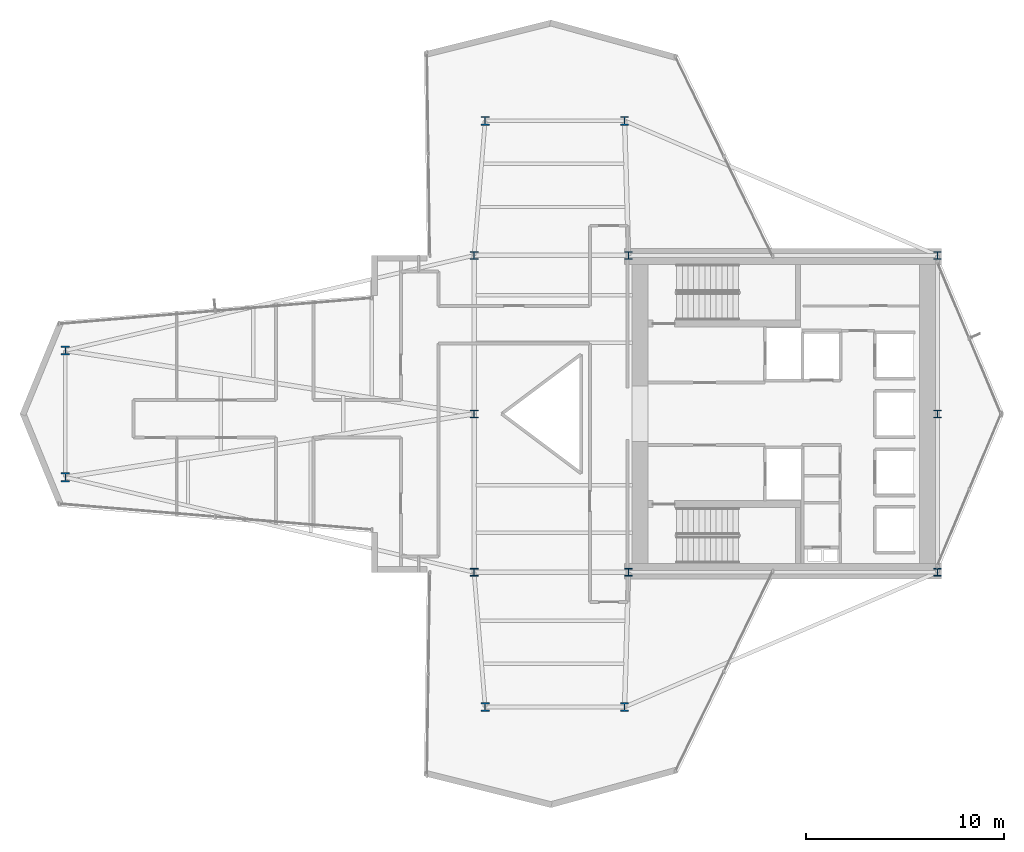
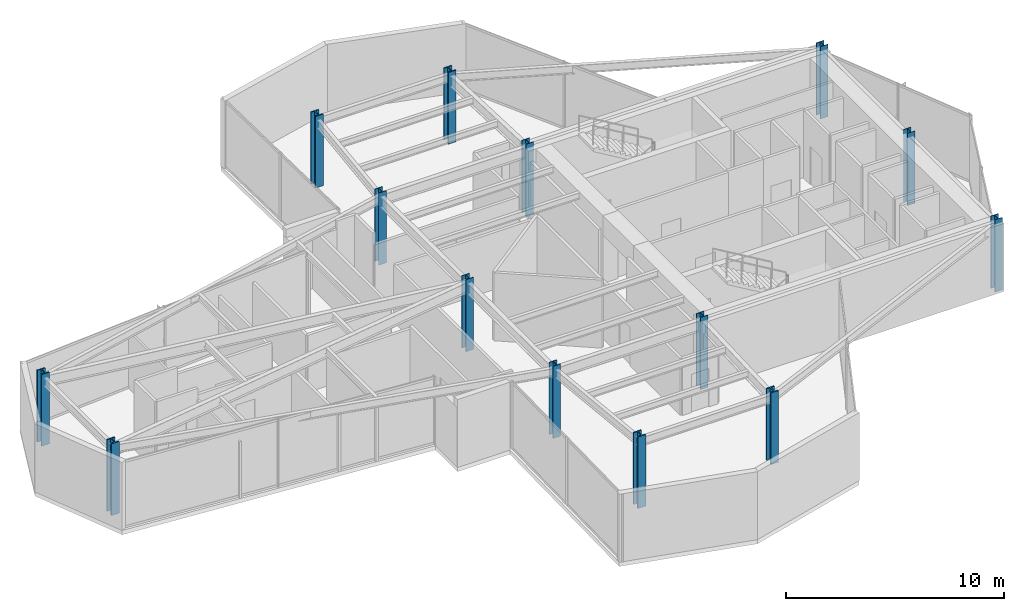
# One storey, part 1 of 25: 14 columns.
"""IFC4 building model written with IfcOpenShell, lengths in metres."""

import ifcopenshell
import ifcopenshell.guid

model = None  # the IFC model being written
_history = None  # IfcOwnerHistory: only IFC2X3 demands one
_inside = {}  # id of a spatial element -> (the spatial element, [elements in it])
_under = {}  # id of a project, library or spatial element -> (it, [spatial elements below it])
_declared = {}  # id of a project -> (the project, [libraries it declares])
_typed = {}  # id of a type object -> (the type object, [elements of that type])
_made_of = {}  # id of a material, layer set ... -> (it, [elements and type objects made of it])


def new_model(schema):
    """Start an empty IFC model of exactly this schema.

    Asked for "IFC4X3", IfcOpenShell would pick the latest addendum, in which some entities
    have other attributes; the version numbers below select the first issue.
    IFC2X3 requires an IfcOwnerHistory on every rooted entity: one is made here for all.
    """
    global model, _history
    if schema == "IFC4X3":
        model = ifcopenshell.file(schema_version=(4, 3, 0, 0))
    else:
        model = ifcopenshell.file(schema=schema)
    _inside.clear()
    _under.clear()
    _declared.clear()
    _typed.clear()
    _made_of.clear()
    _history = None
    if model.schema == "IFC2X3":
        org = make("IfcOrganization", Name="unknown")
        user = make(
            "IfcPersonAndOrganization",
            ThePerson=make("IfcPerson", FamilyName="unknown"),
            TheOrganization=org,
        )
        app = make(
            "IfcApplication",
            ApplicationDeveloper=org,
            Version="unknown",
            ApplicationFullName="unknown",
            ApplicationIdentifier="unknown",
        )
        _history = make(
            "IfcOwnerHistory",
            OwningUser=user,
            OwningApplication=app,
            ChangeAction="ADDED",
            CreationDate=0,
        )
    return model


def make(cls, **values):
    """One entity of the class cls with the attributes given. An attribute that is None is left unset."""
    return model.create_entity(
        cls, **{name: value for name, value in values.items() if value is not None}
    )


def rooted(cls, **values):
    """An entity with a GlobalId (a new one), such as an element, a storey or a relation."""
    return make(cls, GlobalId=ifcopenshell.guid.new(), OwnerHistory=_history, **values)


def si_unit(unit_type, name, prefix=None):
    """IfcSIUnit, for example si_unit("LENGTHUNIT", "METRE", prefix="MILLI")."""
    return make("IfcSIUnit", UnitType=unit_type, Prefix=prefix, Name=name)


def assignment(units):
    """IfcUnitAssignment: the units of a project."""
    return None if units is None else make("IfcUnitAssignment", Units=units)


def point(xyz):
    """IfcCartesianPoint."""
    return None if xyz is None else make("IfcCartesianPoint", Coordinates=xyz)


def direction(xyz):
    """IfcDirection."""
    return None if xyz is None else make("IfcDirection", DirectionRatios=xyz)


def frame(location, z_axis=None, x_axis=None):
    """IfcAxis2Placement3D, a coordinate frame: its origin and axes. An axis left out is left unset."""
    return make(
        "IfcAxis2Placement3D",
        Location=point(location),
        Axis=direction(z_axis),
        RefDirection=direction(x_axis),
    )


def frame_2d(location, x_axis=None):
    """IfcAxis2Placement2D, a coordinate frame in the plane: its origin and x axis."""
    return make(
        "IfcAxis2Placement2D", Location=point(location), RefDirection=direction(x_axis)
    )


def origin():
    """The frame at (0, 0, 0) with its axes left unset."""
    return frame((0.0, 0.0, 0.0))


def origin_2d():
    """The frame at (0, 0) in the plane with its x axis left unset."""
    return frame_2d((0.0, 0.0))


def place(relative_to, where):
    """IfcLocalPlacement: puts the frame where relative to a parent placement (None: the world)."""
    return make(
        "IfcLocalPlacement", PlacementRelTo=relative_to, RelativePlacement=where
    )


def context(
    kind, dimensions, precision=None, world=None, true_north=None, identifier=None
):
    """IfcGeometricRepresentationContext, for example the 3D "Model" context."""
    return make(
        "IfcGeometricRepresentationContext",
        ContextIdentifier=identifier,
        ContextType=kind,
        CoordinateSpaceDimension=dimensions,
        Precision=precision,
        WorldCoordinateSystem=world,
        TrueNorth=true_north,
    )


def subcontext(parent, identifier, kind, view, scale=None):
    """IfcGeometricRepresentationSubContext, for example "Body" below "Model"."""
    return make(
        "IfcGeometricRepresentationSubContext",
        ContextIdentifier=identifier,
        ContextType=kind,
        ParentContext=parent,
        TargetScale=scale,
        TargetView=view,
    )


def project(units=None, contexts=None):
    """IfcProject with its units and contexts."""
    return rooted(
        "IfcProject",
        Name="project",
        RepresentationContexts=contexts,
        UnitsInContext=assignment(units),
    )


def spatial(cls, under=None, at=None, **own):
    """A site, building, storey or space (cls), placed at a placement, below another one or the project."""
    s = rooted(cls, ObjectPlacement=at, **own)
    if under is not None:
        _under.setdefault(under.id(), (under, []))[1].append(s)
    return s


def profile(cls, at=None, kind="AREA", **sizes):
    """A parametric profile (cls). Its sizes go by their IFC names, for example OverallWidth=200.0."""
    return make(cls, ProfileType=kind, Position=at, **sizes)


def i_section(**sizes):
    """IfcIShapeProfileDef."""
    return profile("IfcIShapeProfileDef", **sizes)


def extrude(swept, where, along, depth):
    """IfcExtrudedAreaSolid: the profile swept, set in the frame where, extruded along a direction by depth."""
    return make(
        "IfcExtrudedAreaSolid",
        SweptArea=swept,
        Position=where,
        ExtrudedDirection=direction(along),
        Depth=depth,
    )


def shape(context_of_items, identifier, shape_type, items):
    """IfcShapeRepresentation: the items that make up one representation, for example the "Body"."""
    return make(
        "IfcShapeRepresentation",
        ContextOfItems=context_of_items,
        RepresentationIdentifier=identifier,
        RepresentationType=shape_type,
        Items=items,
    )


def material(Name=None, Category=None):
    """IfcMaterial."""
    return make("IfcMaterial", Name=Name, Category=Category)


def material_profile(
    of_material, cross_section, Name=None, Category=None, Priority=None
):
    """IfcMaterialProfile: a cross section and its material."""
    return make(
        "IfcMaterialProfile",
        Name=Name,
        Material=of_material,
        Profile=cross_section,
        Priority=Priority,
        Category=Category,
    )


def profile_set(profiles, Name=None, composite=None):
    """IfcMaterialProfileSet."""
    return make(
        "IfcMaterialProfileSet",
        Name=Name,
        MaterialProfiles=profiles,
        CompositeProfile=composite,
    )


def made_of(thing, what):
    """Note that an element or type object is made of a material, layer set ...; save() writes the relation."""
    if what is not None:
        _made_of.setdefault(what.id(), (what, []))[1].append(thing)
    return thing


def type_object(cls, material=None, **own):
    """A type object (cls), such as IfcWallType, which elements share."""
    return made_of(rooted(cls, **own), material)


def element(
    cls,
    number,
    at=None,
    inside=None,
    cuts=None,
    type_object=None,
    material=None,
    context=None,
    identifier="Body",
    shape_type=None,
    held_by="IfcProductDefinitionShape",
    body=None,
    shapes=None,
    **own,
):
    """One element of the class cls, such as IfcWall. Its Tag is "e" and its number.

    at: its placement. inside: the storey or other place that contains it. cuts: it is an
    opening in that element (IfcRelVoidsElement). A single representation is given by context,
    identifier, shape_type and body (its items); several are given by shapes. held_by: the class
    of the entity that holds the representations. save() writes the other relations.
    """
    e = rooted(cls, Tag="e%d" % number, ObjectPlacement=at, **own)
    if body is not None:
        shapes = [shape(context, identifier, shape_type, body)]
    if shapes is not None:
        e.Representation = make(held_by, Representations=shapes)
    if inside is not None:
        _inside.setdefault(inside.id(), (inside, []))[1].append(e)
    if cuts is not None:
        rooted(
            "IfcRelVoidsElement", RelatingBuildingElement=cuts, RelatedOpeningElement=e
        )
    if type_object is not None:
        _typed.setdefault(type_object.id(), (type_object, []))[1].append(e)
    return made_of(e, material)


def aggregate(whole, parts):
    """IfcRelAggregates: a whole, such as a stair, and the parts it consists of."""
    return rooted("IfcRelAggregates", RelatingObject=whole, RelatedObjects=parts)


def save(model, path):
    """Write the relations noted so far, then the file.

    IfcRelAggregates (storeys below a building ...), IfcRelContainedInSpatialStructure (elements
    in a storey), IfcRelDefinesByType, IfcRelAssociatesMaterial and IfcRelDeclares: one each for
    every whole, place, type object, material and project.
    """
    for whole, parts in _under.values():
        aggregate(whole, parts)
    for where, things in _inside.values():
        rooted(
            "IfcRelContainedInSpatialStructure",
            RelatedElements=things,
            RelatingStructure=where,
        )
    for kind, things in _typed.values():
        rooted("IfcRelDefinesByType", RelatedObjects=things, RelatingType=kind)
    for what, things in _made_of.values():
        rooted("IfcRelAssociatesMaterial", RelatedObjects=things, RelatingMaterial=what)
    for by, libraries in _declared.values():
        rooted("IfcRelDeclares", RelatingContext=by, RelatedDefinitions=libraries)
    model.write(path)


model = new_model("IFC4")

# Units and contexts
model_context = context("Model", 3, precision=1e-05, world=origin(), true_north=direction((0.0, 1.0)))
body_context = subcontext(model_context, "Body", "Model", "MODEL_VIEW")
ifc_project = project(units=[si_unit("LENGTHUNIT", "METRE"), si_unit("AREAUNIT", "SQUARE_METRE"), si_unit("VOLUMEUNIT", "CUBIC_METRE"), si_unit("PLANEANGLEUNIT", "RADIAN"), si_unit("MASSUNIT", "GRAM", prefix="KILO")], contexts=[model_context])

# Site, building, storey
site_placement = place(None, origin())
site = spatial("IfcSite", under=ifc_project, at=site_placement, CompositionType="ELEMENT")
building_placement = place(site_placement, origin())
building = spatial("IfcBuilding", under=site, at=building_placement, Name="Veymaron Broadcast Tower", CompositionType="ELEMENT")
storey_placement = place(building_placement, frame((0.0, 0.0, 116.85009765625)))
storey = spatial("IfcBuildingStorey", under=building, at=storey_placement, Name="L26", CompositionType="ELEMENT", Elevation=116.85009765625)

# Columns
ifc_material_1 = material(Name="Structural steel ASTM A992 Gr 50", Category="steel")
ifc_material_profile_1 = material_profile(ifc_material_1, i_section(OverallWidth=0.39794921875, OverallDepth=0.386962890625, WebThickness=0.02099609375, FlangeThickness=0.033203125, at=origin_2d()), Name="W360X262")
ifc_profile_set_1 = profile_set([ifc_material_profile_1], Name="Structural steel ASTM A992 Gr 50")
column_type_1 = type_object("IfcColumnType", Name="COL-HC2", PredefinedType="COLUMN", material=ifc_profile_set_1)
for number, where, z_axis, x_axis, name in (
    (1, (31.199951171875, 16.0, 0.0), (0.0, 0.0, 1.0), (1.0, 0.0, 0.0), "L26 structural hub and core column"),
    (2, (31.199951171875, 24.0, 0.0), (0.0, 0.0, 1.0), (1.0, 0.0, 0.0), "L26 structural hub and core column"),
    (3, (31.199951171875, 32.0, 0.0), (0.0, 0.0, 1.0), (1.0, 0.0, 0.0), "L26 structural hub and core column"),
    (4, (39.0, 16.0, 0.0), (0.0, 0.0, 1.0), (1.0, 0.0, 0.0), "L26 structural hub and core column"),
    (5, (39.0, 32.0, 0.0), (0.0, 0.0, 1.0), (1.0, 0.0, 0.0), "L26 structural hub and core column"),
    (6, (54.60009765625, 16.0, 0.0), (0.0, 0.0, 1.0), (1.0, 0.0, 0.0), "L26 structural hub and core column"),
    (7, (54.60009765625, 24.0, 0.0), (0.0, 0.0, 1.0), (1.0, 0.0, 0.0), "L26 structural hub and core column"),
    (8, (54.60009765625, 32.0, 0.0), (0.0, 0.0, 1.0), (1.0, 0.0, 0.0), "L26 structural hub and core column"),
):
    element("IfcColumn", number, at=place(storey_placement, frame(where, z_axis=z_axis, x_axis=x_axis)), inside=storey, type_object=column_type_1, Name=name, PredefinedType="COLUMN", context=body_context, shape_type="SweptSolid", body=[
        extrude(i_section(OverallWidth=0.39794921875, OverallDepth=0.386962890625, WebThickness=0.02099609375, FlangeThickness=0.033203125, at=origin_2d()), origin(), (0.0, 0.0, 1.0), 4.0439453125),
    ])
ifc_material_2 = material(Name="Structural steel ASTM A913 Gr 65", Category="steel")
ifc_material_profile_2 = material_profile(ifc_material_2, i_section(OverallWidth=0.41796875, OverallDepth=0.455078125, WebThickness=0.0419921875, FlangeThickness=0.067626953125, at=origin_2d()), Name="W360X551")
ifc_profile_set_2 = profile_set([ifc_material_profile_2], Name="Structural steel ASTM A913 Gr 65")
column_type_2 = type_object("IfcColumnType", Name="COL-MC2", PredefinedType="COLUMN", material=ifc_profile_set_2)
for number, where, z_axis, x_axis, name in (
    (9, (10.56005859375, 20.800048828125, 0.015869140625), (0.0, 0.0, 1.0), (1.0, 0.0, 0.0), "L26 Tapered Wing Mega Column"),
    (10, (10.56005859375, 27.199951171875, 0.015869140625), (0.0, 0.0, 1.0), (1.0, 0.0, 0.0), "L26 Tapered Wing Mega Column"),
    (11, (31.760009765625, 38.800048828125, 0.015869140625), (0.0, 0.0, 1.0), (1.0, 0.0, 0.0), "L26 Tapered Wing Mega Column"),
    (12, (38.800048828125, 38.800048828125, 0.015869140625), (0.0, 0.0, 1.0), (1.0, 0.0, 0.0), "L26 Tapered Wing Mega Column"),
    (13, (31.760009765625, 9.199951171875, 0.015869140625), (0.0, 0.0, 1.0), (1.0, 0.0, 0.0), "L26 Tapered Wing Mega Column"),
    (14, (38.800048828125, 9.199951171875, 0.015869140625), (0.0, 0.0, 1.0), (1.0, 0.0, 0.0), "L26 Tapered Wing Mega Column"),
):
    element("IfcColumn", number, at=place(storey_placement, frame(where, z_axis=z_axis, x_axis=x_axis)), inside=storey, type_object=column_type_2, Name=name, PredefinedType="COLUMN", context=body_context, shape_type="SweptSolid", body=[
        extrude(i_section(OverallWidth=0.41796875, OverallDepth=0.455078125, WebThickness=0.0419921875, FlangeThickness=0.067626953125, at=origin_2d()), origin(), (0.0, 0.0, 1.0), 4.01806640625),
    ])

save(model, "model.ifc")
